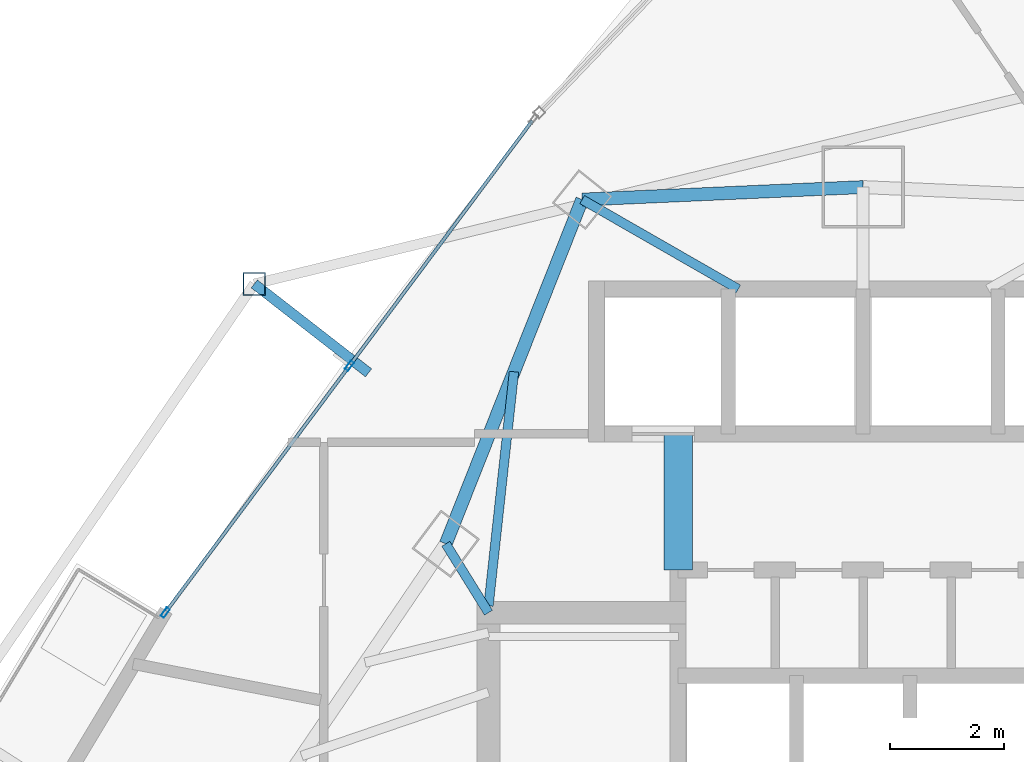
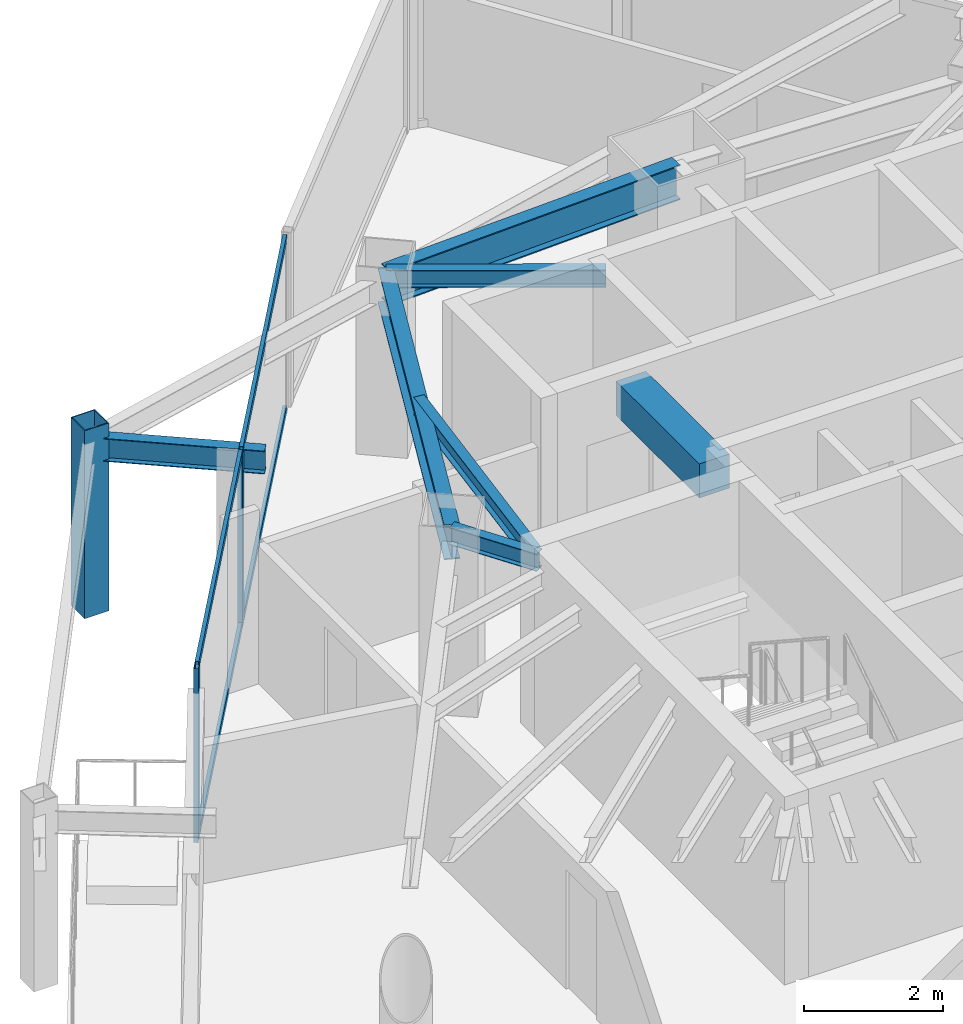
# One storey, part 18 of 29: 7 beams, 7 members, 1 element without a shape of its own.
"""IFC4 building model written with IfcOpenShell, lengths in metres."""

from ifc_helpers import new_model, si_unit, direction, frame, origin, origin_2d, place, context, subcontext, project, spatial, rectangle, hollow_rectangle, i_section, extrude, material, layer, layer_set, material_profile, profile_set, type_object, element, aggregate, save


model = new_model("IFC4")

# Units and contexts
model_context = context("Model", 3, precision=1e-05, world=origin(), true_north=direction((0.0, 1.0)))
body_context = subcontext(model_context, "Body", "Model", "MODEL_VIEW")
ifc_project = project(units=[si_unit("LENGTHUNIT", "METRE"), si_unit("AREAUNIT", "SQUARE_METRE"), si_unit("VOLUMEUNIT", "CUBIC_METRE"), si_unit("PLANEANGLEUNIT", "RADIAN"), si_unit("MASSUNIT", "GRAM", prefix="KILO")], contexts=[model_context])

# Site, building, storey
site_placement = place(None, origin())
site = spatial("IfcSite", under=ifc_project, at=site_placement, CompositionType="ELEMENT")
building_placement = place(site_placement, origin())
building = spatial("IfcBuilding", under=site, at=building_placement, Name="Orvanel Arch Residences", CompositionType="ELEMENT")
storey_placement = place(building_placement, frame((0.0, 0.0, 160.550048828125)))
storey = spatial("IfcBuildingStorey", under=building, at=storey_placement, Name="L45", CompositionType="ELEMENT", Elevation=160.550048828125)

# Beams
ifc_material_1 = material(Name="Structural steel AS/NZS 3679.1 Grade 300 (300 MPa)", Category="steel")
ifc_material_profile_1 = material_profile(ifc_material_1, i_section(OverallWidth=0.1650390625, OverallDepth=0.303955078125, WebThickness=0.006103515625, FlangeThickness=0.01025390625, at=origin_2d()), Name="310UB40.4")
ifc_profile_set_1 = profile_set([ifc_material_profile_1], Name="Structural steel AS/NZS 3679.1 Grade 300 (300 MPa)")
beam_type_1 = type_object("IfcBeamType", Name="BJ-310UB", PredefinedType="JOIST", material=ifc_profile_set_1)
beam_1_placement = place(storey_placement, frame((26.39990234375, 33.89990234375, 2.907958984375), z_axis=(-0.526843290616, 0.84996243866, 0.0), x_axis=(-0.84996243866, -0.526843290616, 0.0)))
element("IfcBeam", 1, at=beam_1_placement, inside=storey, type_object=beam_type_1, Name="L45 NNW Wing Floor Joist", PredefinedType="JOIST", context=body_context, shape_type="SweptSolid", body=[
    extrude(i_section(OverallWidth=0.1650390625, OverallDepth=0.303955078125, WebThickness=0.006103515625, FlangeThickness=0.01025390625, at=origin_2d()), origin(), (0.0, 0.0, 1.0), 1.42724609375),
])
beam_2_placement = place(storey_placement, frame((26.39990234375, 34.02001953125, 2.907958984375), z_axis=(0.108261441852, 0.99412245735, 0.0), x_axis=(-0.99412245735, 0.108261441852, 0.0)))
element("IfcBeam", 2, at=beam_2_placement, inside=storey, type_object=beam_type_1, Name="L45 NNW2 Wing Floor Joist", PredefinedType="JOIST", context=body_context, shape_type="SweptSolid", body=[
    extrude(i_section(OverallWidth=0.1650390625, OverallDepth=0.303955078125, WebThickness=0.006103515625, FlangeThickness=0.01025390625, at=origin_2d()), origin(), (0.0, 0.0, 1.0), 4.1494140625),
])
beam_3_placement = place(storey_placement, frame((30.800048828125, 39.60009765625, 2.907958984375), z_axis=(-0.86736513383, 0.497672306458, 0.0), x_axis=(-0.497672306458, -0.86736513383, 0.0)))
element("IfcBeam", 3, at=beam_3_placement, inside=storey, type_object=beam_type_1, Name="L45 MNW Wing Floor Joist", PredefinedType="JOIST", context=body_context, shape_type="SweptSolid", body=[
    extrude(i_section(OverallWidth=0.1650390625, OverallDepth=0.303955078125, WebThickness=0.006103515625, FlangeThickness=0.01025390625, at=origin_2d()), origin(), (0.0, 0.0, 1.0), 3.17041015625),
])
ifc_material_2 = material(Name="Concrete S65 (65 MPa)", Category="concrete")
ifc_material_profile_2 = material_profile(ifc_material_2, rectangle(XDim=0.5, YDim=0.60009765625, at=origin_2d()), Name="RC500x600")
ifc_profile_set_2 = profile_set([ifc_material_profile_2], Name="Concrete S65 (65 MPa)")
beam_type_2 = type_object("IfcBeamType", Name="CB-500x600", PredefinedType="LINTEL", material=ifc_profile_set_2)
beam_4_placement = place(storey_placement, frame((29.739990234375, 34.64990234375, 2.760009765625), z_axis=(0.0, 1.0, 0.0), x_axis=(-1.0, 0.0, 0.0)))
element("IfcBeam", 4, at=beam_4_placement, inside=storey, type_object=beam_type_2, Name="L45 West Core Lobby Coupling Lintel Beam", PredefinedType="LINTEL", context=body_context, shape_type="SweptSolid", body=[
    extrude(rectangle(XDim=0.5, YDim=0.60009765625, at=origin_2d()), origin(), (0.0, 0.0, 1.0), 2.400146484375),
])

# Curtain wall, members
ifc_material_3 = material(Name="Bronze-anodised aluminium AA6063-T6", Category="aluminium")
ifc_layer = layer(ifc_material_3, 0.179931640625)
ifc_layer_set = layer_set([ifc_layer], Name="Bronze-anodised aluminium AA6063-T6")
curtain_wall_type = type_object("IfcCurtainWallType", Name="CW3-MID-SYS", PredefinedType="NOTDEFINED", material=ifc_layer_set)
curtain_wall_placement = place(storey_placement, origin())
curtain_wall = element("IfcCurtainWall", 5, at=curtain_wall_placement, inside=storey, type_object=curtain_wall_type, Name="L45 CW3-MID-SYS Unitised Curtain Wall", PredefinedType="NOTDEFINED")
ifc_material_profile_3 = material_profile(ifc_material_3, hollow_rectangle(XDim=0.070068359375, YDim=0.179931640625, WallThickness=0.00439453125, at=origin_2d()), Name="ALU180x70x4.5")
ifc_profile_set_3 = profile_set([ifc_material_profile_3], Name="Bronze-anodised aluminium AA6063-T6")
member_type_1 = type_object("IfcMemberType", Name="MUL-180x70", PredefinedType="MULLION", material=ifc_profile_set_3)
member_1_placement = place(storey_placement, frame((23.949462890625, 38.248046875, 0.0), z_axis=(0.0, 0.0, 1.0), x_axis=(0.801448180864, -0.598064221794, 0.0)))
member_1 = element("IfcMember", 6, at=member_1_placement, type_object=member_type_1, Name="CW-S3 mullion 2", PredefinedType="MULLION", context=body_context, shape_type="SweptSolid", body=[
    extrude(hollow_rectangle(XDim=0.070068359375, YDim=0.179931640625, WallThickness=0.00439453125, at=origin_2d()), origin(), (0.0, 0.0, 1.0), 3.06005859375),
])
member_2_placement = place(storey_placement, frame((20.704833984375, 33.900146484375, 0.0), z_axis=(0.0, 0.0, 1.0), x_axis=(0.801448180864, -0.598064221794, 0.0)))
member_2 = element("IfcMember", 7, at=member_2_placement, type_object=member_type_1, Name="CW-S3 mullion 3", PredefinedType="MULLION", context=body_context, shape_type="SweptSolid", body=[
    extrude(hollow_rectangle(XDim=0.070068359375, YDim=0.179931640625, WallThickness=0.00439453125, at=origin_2d()), origin(), (0.0, 0.0, 1.0), 3.06005859375),
])

# Beams
ifc_material_profile_4 = material_profile(ifc_material_1, i_section(OverallWidth=0.177978515625, OverallDepth=0.406005859375, WebThickness=0.0078125, FlangeThickness=0.0126953125, at=origin_2d()), Name="410UB59.7")
ifc_profile_set_4 = profile_set([ifc_material_profile_4], Name="Structural steel AS/NZS 3679.1 Grade 300 (300 MPa)")
beam_type_3 = type_object("IfcBeamType", Name="OB-410UB-EXT", PredefinedType="SPANDREL", material=ifc_profile_set_4)
beam_5_placement = place(storey_placement, frame((24.287109375, 38.1259765625, 2.85693359375), z_axis=(-0.789331599676, 0.613967121068, 0.0), x_axis=(-0.613967121068, -0.789331599676, 0.0)))
element("IfcBeam", 8, at=beam_5_placement, inside=storey, type_object=beam_type_3, Name="L45 Outer Frame Radial Tie Beam 01", PredefinedType="SPANDREL", context=body_context, shape_type="SweptSolid", body=[
    extrude(i_section(OverallWidth=0.177978515625, OverallDepth=0.406005859375, WebThickness=0.0078125, FlangeThickness=0.0126953125, at=origin_2d()), origin(), (0.0, 0.0, 1.0), 2.550537109375),
])
ifc_material_profile_5 = material_profile(ifc_material_1, i_section(OverallWidth=0.22900390625, OverallDepth=0.612060546875, WebThickness=0.011962890625, FlangeThickness=0.01953125, at=origin_2d()), Name="610UB125")
ifc_profile_set_5 = profile_set([ifc_material_profile_5], Name="Structural steel AS/NZS 3679.1 Grade 300 (300 MPa)")
beam_type_4 = type_object("IfcBeamType", Name="SP-610UB", PredefinedType="SPANDREL", material=ifc_profile_set_5)
beam_6_placement = place(storey_placement, frame((33.0, 41.39794921875, 2.75390625), z_axis=(-0.999014049296, -0.044395149614, 0.0), x_axis=(0.044395149614, -0.999014049296, 0.0)))
element("IfcBeam", 9, at=beam_6_placement, inside=storey, type_object=beam_type_4, Name="L45 Perimeter Spandrel Beam 15", PredefinedType="SPANDREL", context=body_context, shape_type="SweptSolid", body=[
    extrude(i_section(OverallWidth=0.22900390625, OverallDepth=0.612060546875, WebThickness=0.011962890625, FlangeThickness=0.01953125, at=origin_2d()), origin(), (0.0, 0.0, 1.0), 4.954833984375),
])
beam_7_placement = place(storey_placement, frame((28.050048828125, 41.177978515625, 2.75390625), z_axis=(-0.368233143579, -0.929733484376, 0.0), x_axis=(0.929733484376, -0.368233143579, 0.0)))
element("IfcBeam", 10, at=beam_7_placement, inside=storey, type_object=beam_type_4, Name="L45 Perimeter Spandrel Beam 16", PredefinedType="SPANDREL", context=body_context, shape_type="SweptSolid", body=[
    extrude(i_section(OverallWidth=0.22900390625, OverallDepth=0.612060546875, WebThickness=0.011962890625, FlangeThickness=0.01953125, at=origin_2d()), origin(), (0.0, 0.0, 1.0), 6.523193359375),
])

# Member
ifc_material_4 = material(Name="Structural steel AS/NZS 1163 C450L0 (Grade 450)", Category="steel")
ifc_material_profile_6 = material_profile(ifc_material_4, hollow_rectangle(XDim=0.39990234375, YDim=0.39990234375, WallThickness=0.01611328125, at=origin_2d()), Name="SHS400x400x16")
ifc_profile_set_6 = profile_set([ifc_material_profile_6], Name="Structural steel AS/NZS 1163 C450L0 (Grade 450)")
member_type_2 = type_object("IfcMemberType", Name="ST-400SHS-EXT", PredefinedType="STRUT", material=ifc_profile_set_6)
member_3_placement = place(storey_placement, frame((22.27392578125, 39.69189453125, 0.0), z_axis=(0.0, 0.0, 1.0), x_axis=(1.0, 0.0, 0.0)))
element("IfcMember", 11, at=member_3_placement, inside=storey, type_object=member_type_2, Name="L45 Outer Perimeter Frame Post 01", PredefinedType="STRUT", context=body_context, shape_type="SweptSolid", body=[
    extrude(hollow_rectangle(XDim=0.39990234375, YDim=0.39990234375, WallThickness=0.01611328125, at=origin_2d()), origin(), (0.0, 0.0, 1.0), 3.300048828125),
])

ifc_material_profile_7 = material_profile(ifc_material_3, hollow_rectangle(XDim=0.06005859375, YDim=0.135009765625, WallThickness=0.00390625, at=origin_2d()), Name="ALU135x60x4")
ifc_profile_set_7 = profile_set([ifc_material_profile_7], Name="Bronze-anodised aluminium AA6063-T6")
member_type_3 = type_object("IfcMemberType", Name="TRN-135x60", PredefinedType="USERDEFINED", material=ifc_profile_set_7)
member_4_placement = place(storey_placement, frame((27.173095703125, 42.56787109375, 0.030029296875), z_axis=(-0.598065182098, -0.801447464256, 0.0), x_axis=(0.801447464256, -0.598065182098, 0.0)))
member_4 = element("IfcMember", 12, at=member_4_placement, type_object=member_type_3, Name="CW-S3 transom 1.1", ObjectType="TRANSOM", PredefinedType="USERDEFINED", context=body_context, shape_type="SweptSolid", body=[
    extrude(hollow_rectangle(XDim=0.06005859375, YDim=0.135009765625, WallThickness=0.00390625, at=origin_2d()), origin(), (0.0, 0.0, 1.0), 5.35498046875),
])

member_5_placement = place(storey_placement, frame((27.173095703125, 42.56787109375, 3.030029296875), z_axis=(-0.598065182098, -0.801447464256, 0.0), x_axis=(0.801447464256, -0.598065182098, 0.0)))
member_5 = element("IfcMember", 13, at=member_5_placement, type_object=member_type_3, Name="CW-S3 transom 1.2", ObjectType="TRANSOM", PredefinedType="USERDEFINED", context=body_context, shape_type="SweptSolid", body=[
    extrude(hollow_rectangle(XDim=0.06005859375, YDim=0.135009765625, WallThickness=0.00390625, at=origin_2d()), origin(), (0.0, 0.0, 1.0), 5.35498046875),
])

member_6_placement = place(storey_placement, frame((23.928466796875, 38.219970703125, 0.030029296875), z_axis=(-0.598065182098, -0.801447464256, 0.0), x_axis=(0.801447464256, -0.598065182098, 0.0)))
member_6 = element("IfcMember", 14, at=member_6_placement, type_object=member_type_3, Name="CW-S3 transom 2.1", ObjectType="TRANSOM", PredefinedType="USERDEFINED", context=body_context, shape_type="SweptSolid", body=[
    extrude(hollow_rectangle(XDim=0.06005859375, YDim=0.135009765625, WallThickness=0.00390625, at=origin_2d()), origin(), (0.0, 0.0, 1.0), 5.35498046875),
])

member_7_placement = place(storey_placement, frame((23.928466796875, 38.219970703125, 3.030029296875), z_axis=(-0.598065182098, -0.801447464256, 0.0), x_axis=(0.801447464256, -0.598065182098, 0.0)))
member_7 = element("IfcMember", 15, at=member_7_placement, type_object=member_type_3, Name="CW-S3 transom 2.2", ObjectType="TRANSOM", PredefinedType="USERDEFINED", context=body_context, shape_type="SweptSolid", body=[
    extrude(hollow_rectangle(XDim=0.06005859375, YDim=0.135009765625, WallThickness=0.00390625, at=origin_2d()), origin(), (0.0, 0.0, 1.0), 5.35498046875),
])

aggregate(curtain_wall, [member_1, member_2, member_4, member_5, member_6, member_7])

save(model, "model.ifc")
